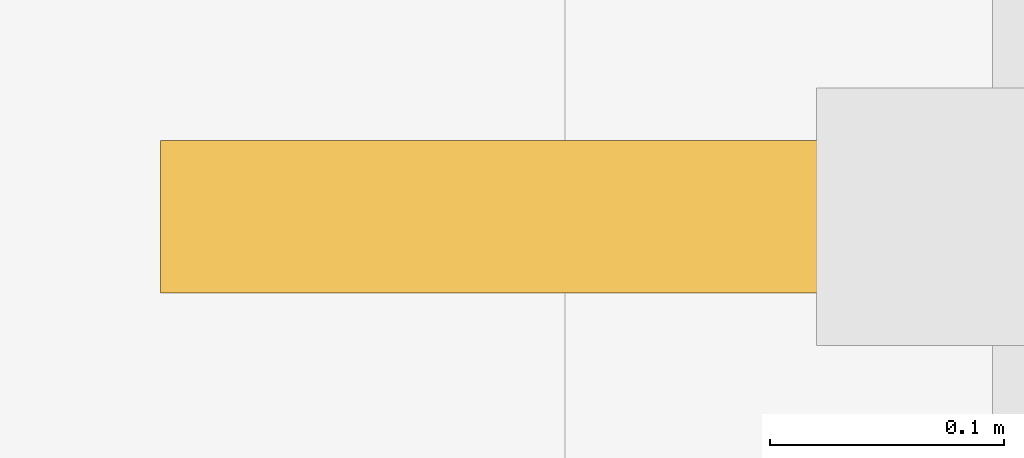
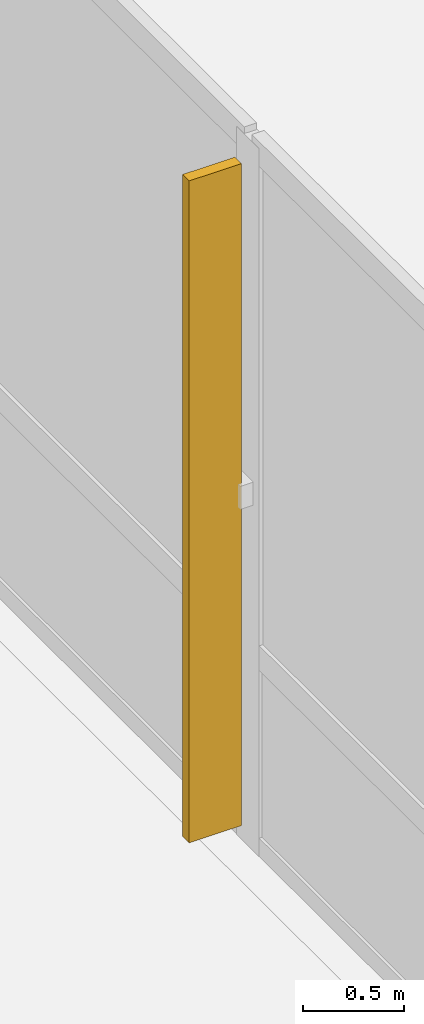
# One storey, part 21 of 24: 1 shading device.
"""IFC4 building model written with IfcOpenShell, lengths in metres."""

from ifc_helpers import new_model, si_unit, direction, frame, origin, place, context, subcontext, project, spatial, polyline, outline, extrude, material, layer, layer_set, type_object, element, save


model = new_model("IFC4")

# Units and contexts
model_context = context("Model", 3, precision=1e-05, world=origin(), true_north=direction((0.0, 1.0)))
body_context = subcontext(model_context, "Body", "Model", "MODEL_VIEW")
ifc_project = project(units=[si_unit("LENGTHUNIT", "METRE"), si_unit("AREAUNIT", "SQUARE_METRE"), si_unit("VOLUMEUNIT", "CUBIC_METRE"), si_unit("PLANEANGLEUNIT", "RADIAN"), si_unit("MASSUNIT", "GRAM", prefix="KILO")], contexts=[model_context])

# Site, building, storey
site_placement = place(None, origin())
site = spatial("IfcSite", under=ifc_project, at=site_placement, CompositionType="ELEMENT")
building_placement = place(site_placement, origin())
building = spatial("IfcBuilding", under=site, at=building_placement, Name="Qalmaran Belvedere Hotel", CompositionType="ELEMENT")
storey_placement = place(building_placement, frame((0.0, 0.0, 14.60009765625)))
storey = spatial("IfcBuildingStorey", under=building, at=storey_placement, Name="L03", CompositionType="ELEMENT", Elevation=14.60009765625)

# Shading device
ifc_material = material(Name="Anodised Bronze Aluminium", Category="aluminium")
ifc_layer = layer(ifc_material, 0.06494140625, Name="Anodised Bronze Aluminium")
ifc_layer_set = layer_set([ifc_layer], Name="Anodised Bronze Aluminium")
shading_device_type = type_object("IfcShadingDeviceType", Name="FIN-BRNZ-300", PredefinedType="USERDEFINED", material=ifc_layer_set)
shading_device_placement = place(storey_placement, frame((0.0, 0.0, 0.159912109375)))
element("IfcShadingDevice", 1, at=shading_device_placement, inside=storey, type_object=shading_device_type, Name="L03 Bronze Fin 1", ObjectType="FIN", PredefinedType="USERDEFINED", context=body_context, shape_type="SweptSolid", body=[
    extrude(outline(polyline([(3.62744140625, 39.9404296875), (3.327392578125, 39.9404296875), (3.327392578125, 39.87548828125), (3.62744140625, 39.87548828125), (3.62744140625, 39.9404296875)])), origin(), (0.0, 0.0, 1.0), 4.02001953125),
])

save(model, "model.ifc")
